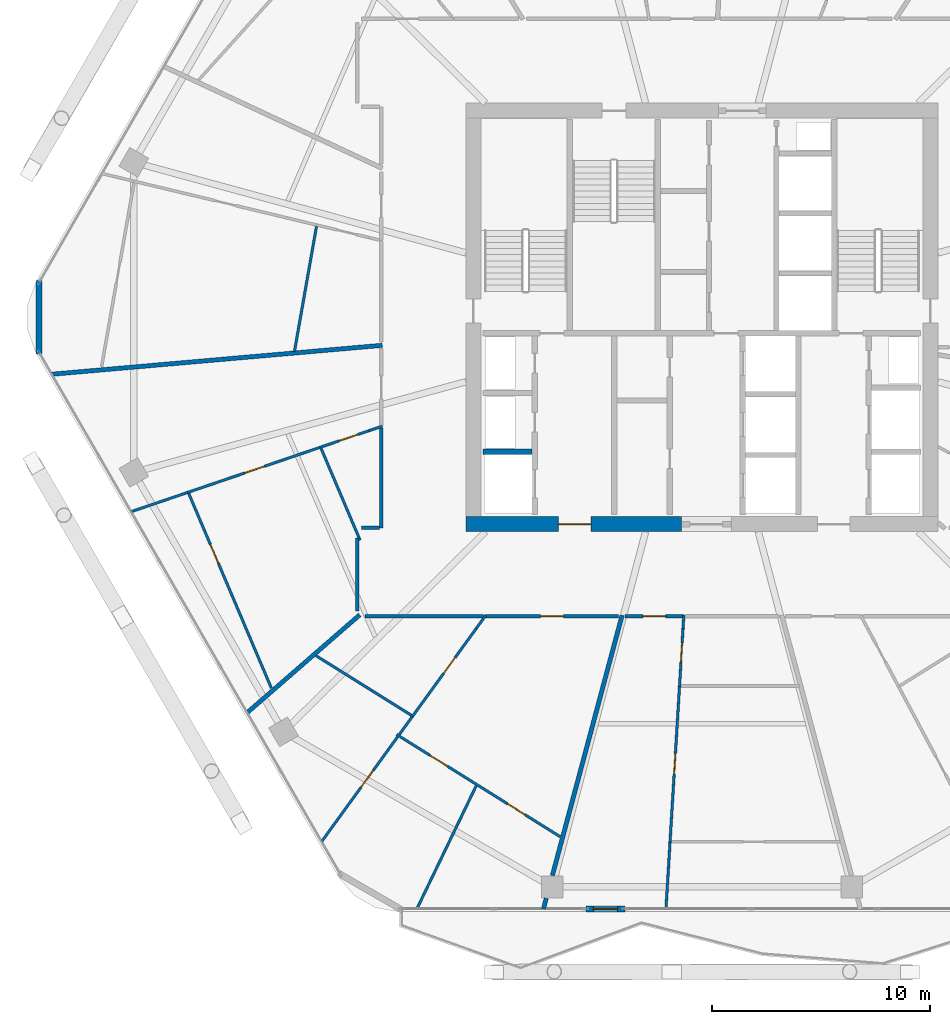
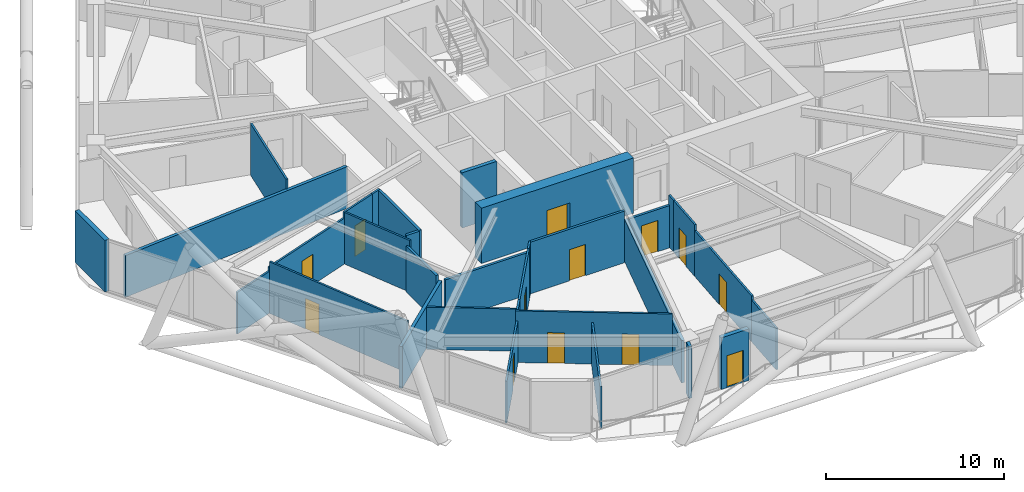
# One storey, part 21 of 29: 32 walls, 13 doors, 13 openings.
"""IFC4 building model written with IfcOpenShell, lengths in metres."""

from ifc_helpers import new_model, si_unit, direction, frame, frame_2d, origin, place, context, subcontext, project, spatial, rectangle, extrude, material, layer, layer_set, type_object, element, fill, save


model = new_model("IFC4")

# Units and contexts
model_context = context("Model", 3, precision=1e-05, world=origin(), true_north=direction((0.0, 1.0)))
body_context = subcontext(model_context, "Body", "Model", "MODEL_VIEW")
ifc_project = project(units=[si_unit("LENGTHUNIT", "METRE"), si_unit("AREAUNIT", "SQUARE_METRE"), si_unit("VOLUMEUNIT", "CUBIC_METRE"), si_unit("PLANEANGLEUNIT", "RADIAN"), si_unit("MASSUNIT", "GRAM", prefix="KILO")], contexts=[model_context])

# Site, building, storey
site_placement = place(None, origin())
site = spatial("IfcSite", under=ifc_project, at=site_placement, CompositionType="ELEMENT")
building_placement = place(site_placement, origin())
building = spatial("IfcBuilding", under=site, at=building_placement, Name="Zuhravey Tower", CompositionType="ELEMENT")
storey_placement = place(building_placement, frame((0.0, 0.0, 161.800048828125)))
storey = spatial("IfcBuildingStorey", under=building, at=storey_placement, Name="L40", CompositionType="ELEMENT", Elevation=161.800048828125)

# Wall, opening, door
ifc_material_1 = material(Name="Concrete C60/75", Category="concrete")
ifc_layer_1 = layer(ifc_material_1, 0.699951171875)
ifc_layer_set_1 = layer_set([ifc_layer_1], Name="Concrete C60/75")
wall_type_1 = type_object("IfcWallType", Name="Core Shear Wall 700", PredefinedType="SHEAR", material=ifc_layer_set_1)
wall_1_placement = place(storey_placement, frame((25.14990234375, 22.5, 0.0), z_axis=(0.0, 0.0, 1.0), x_axis=(1.0, 0.0, 0.0)))
wall_1 = element("IfcWall", 1, at=wall_1_placement, inside=storey, type_object=wall_type_1, Name="L40 South-West Core Shear Wall CW70", PredefinedType="SHEAR", context=body_context, shape_type="SweptSolid", body=[
    extrude(rectangle(XDim=9.900146484375, YDim=0.699951171875, at=frame_2d((4.9501953125, 0.0))), origin(), (0.0, 0.0, 1.0), 3.800048828125),
])
opening_1_placement = place(wall_1_placement, frame((4.25, 0.0, 0.0)))
opening_1 = element("IfcOpeningElement", 2, at=opening_1_placement, cuts=wall_1, Name="Opening FFD1", PredefinedType="OPENING", context=body_context, shape_type="SweptSolid", body=[
    extrude(rectangle(XDim=1.5, YDim=2.14990234375, at=frame_2d((0.75, 1.074951171875))), frame((0.0, 0.362060546875, 0.0), z_axis=(0.0, -1.0, 0.0), x_axis=(1.0, 0.0, 0.0)), (0.0, 0.0, 1.0), 0.723876953125),
])
ifc_material_2 = material(Name="Galvanised fire-rated steel leaf", Category="steel")
door_type_1 = type_object("IfcDoorType", Name="Firefighting Lobby Double Door 1500x2150", OperationType="DOUBLE_DOOR_SINGLE_SWING", PredefinedType="DOOR", material=ifc_material_2)
door_1_placement = place(opening_1_placement, origin())
door_1 = element("IfcDoor", 3, at=door_1_placement, inside=storey, type_object=door_type_1, Name="L40 Firefighting Lobby West Door", OperationType="DOUBLE_DOOR_SINGLE_SWING", OverallHeight=2.14990234375, OverallWidth=1.5, PredefinedType="DOOR", context=body_context, shape_type="SweptSolid", body=[
    extrude(rectangle(XDim=1.5, YDim=2.14990234375, at=frame_2d((0.75, 1.074951171875))), frame((0.0, 0.02490234375, 0.0), z_axis=(0.0, -1.0, 0.0), x_axis=(1.0, 0.0, 0.0)), (0.0, 0.0, 1.0), 0.050048828125),
])
fill(opening_1, door_1)

ifc_material_3 = material(Name="Gypsum fire-rated stud partition")
ifc_layer_2 = layer(ifc_material_3, 0.159912109375)
ifc_layer_set_2 = layer_set([ifc_layer_2], Name="Gypsum fire-rated stud partition")
wall_type_2 = type_object("IfcWallType", Name="Corridor Fire Partition 160", PredefinedType="PARTITIONING", material=ifc_layer_set_2)
wall_2_placement = place(storey_placement, frame((26.06396484375, 18.27001953125, 0.0), z_axis=(0.0, 0.0, 1.0), x_axis=(1.0, 0.0, 0.0)))
wall_2 = element("IfcWall", 4, at=wall_2_placement, inside=storey, type_object=wall_type_2, Name="L40 IW16 Partition 050", PredefinedType="PARTITIONING", context=body_context, shape_type="SweptSolid", body=[
    extrude(rectangle(XDim=6.107666015625, YDim=0.159912109375, at=frame_2d((3.0537109375, 0.0))), origin(), (0.0, 0.0, 1.0), 3.550048828125),
])
opening_2_placement = place(wall_2_placement, frame((2.52880859375, 0.0, 0.0)))
opening_2 = element("IfcOpeningElement", 5, at=opening_2_placement, cuts=wall_2, Name="Opening APD1", PredefinedType="OPENING", context=body_context, shape_type="SweptSolid", body=[
    extrude(rectangle(XDim=1.050048828125, YDim=2.14990234375, at=frame_2d((0.52490234375, 1.074951171875))), frame((0.0, 0.092041015625, 0.0), z_axis=(0.0, -1.0, 0.0), x_axis=(1.0, 0.0, 0.0)), (0.0, 0.0, 1.0), 0.183837890625),
])
ifc_material_4 = material(Name="Solid-core oak fire-rated leaf")
door_type_2 = type_object("IfcDoorType", Name="Apartment Entrance Fire Door 1050x2150", OperationType="NOTDEFINED", PredefinedType="DOOR", material=ifc_material_4)
door_2_placement = place(opening_2_placement, frame((1.050048828125, 0.0, 0.0), z_axis=(0.0, 0.0, 1.0), x_axis=(-1.0, 0.0, 0.0)))
door_2 = element("IfcDoor", 6, at=door_2_placement, inside=storey, type_object=door_type_2, Name="L40 Door 050.1", OperationType="SINGLE_SWING_LEFT", OverallHeight=2.14990234375, OverallWidth=1.050048828125, PredefinedType="DOOR", context=body_context, shape_type="SweptSolid", body=[
    extrude(rectangle(XDim=1.050048828125, YDim=2.14990234375, at=frame_2d((0.52490234375, 1.074951171875))), frame((0.0, 0.02490234375, 0.0), z_axis=(0.0, -1.0, 0.0), x_axis=(1.0, 0.0, 0.0)), (0.0, 0.0, 1.0), 0.050048828125),
])
fill(opening_2, door_2)

wall_3_placement = place(storey_placement, frame((32.4697265625, 18.27001953125, 0.0), z_axis=(0.0, 0.0, 1.0), x_axis=(1.0, 0.0, 0.0)))
wall_3 = element("IfcWall", 7, at=wall_3_placement, inside=storey, type_object=wall_type_2, Name="L40 IW16 Partition 054", PredefinedType="PARTITIONING", context=body_context, shape_type="SweptSolid", body=[
    extrude(rectangle(XDim=2.67529296875, YDim=0.159912109375, at=frame_2d((1.337646484375, 0.0))), origin(), (0.0, 0.0, 1.0), 2.89990234375),
])
opening_3_placement = place(wall_3_placement, frame((0.8125, 0.0, 0.0)))
opening_3 = element("IfcOpeningElement", 8, at=opening_3_placement, cuts=wall_3, Name="Opening APD1", PredefinedType="OPENING", context=body_context, shape_type="SweptSolid", body=[
    extrude(rectangle(XDim=1.050048828125, YDim=2.14990234375, at=frame_2d((0.52490234375, 1.074951171875))), frame((0.0, 0.092041015625, 0.0), z_axis=(0.0, -1.0, 0.0), x_axis=(1.0, 0.0, 0.0)), (0.0, 0.0, 1.0), 0.183837890625),
])
door_3_placement = place(opening_3_placement, frame((1.050048828125, 0.0, 0.0), z_axis=(0.0, 0.0, 1.0), x_axis=(-1.0, 0.0, 0.0)))
door_3 = element("IfcDoor", 9, at=door_3_placement, inside=storey, type_object=door_type_2, Name="L40 Door 054.1", OperationType="SINGLE_SWING_LEFT", OverallHeight=2.14990234375, OverallWidth=1.050048828125, PredefinedType="DOOR", context=body_context, shape_type="SweptSolid", body=[
    extrude(rectangle(XDim=1.050048828125, YDim=2.14990234375, at=frame_2d((0.52490234375, 1.074951171875))), frame((0.0, 0.02490234375, 0.0), z_axis=(0.0, -1.0, 0.0), x_axis=(1.0, 0.0, 0.0)), (0.0, 0.0, 1.0), 0.050048828125),
])
fill(opening_3, door_3)

# Walls
wall_4_placement = place(storey_placement, frame((21.27001953125, 26.913818359375, 0.0), z_axis=(0.0, 0.0, 1.0), x_axis=(0.0, -1.0, 0.0)))
element("IfcWall", 10, at=wall_4_placement, inside=storey, type_object=wall_type_2, Name="L40 IW16 Partition 134", PredefinedType="PARTITIONING", context=body_context, shape_type="SweptSolid", body=[
    extrude(rectangle(XDim=4.583740234375, YDim=0.159912109375, at=frame_2d((2.2919921875, 0.0))), origin(), (0.0, 0.0, 1.0), 3.550048828125),
])
wall_5_placement = place(storey_placement, frame((21.181884765625, 22.330078125, 0.0), z_axis=(0.0, 0.0, 1.0), x_axis=(-1.0, 0.0, 0.0)))
element("IfcWall", 11, at=wall_5_placement, inside=storey, type_object=wall_type_2, Name="L40 IW16 Partition 135", PredefinedType="PARTITIONING", context=body_context, shape_type="SweptSolid", body=[
    extrude(rectangle(XDim=0.831787109375, YDim=0.159912109375, at=frame_2d((0.416015625, 0.0))), origin(), (0.0, 0.0, 1.0), 3.550048828125),
])
wall_6_placement = place(storey_placement, frame((20.169921875, 21.87060546875, 0.0), z_axis=(0.0, 0.0, 1.0), x_axis=(0.0, -1.0, 0.0)))
element("IfcWall", 12, at=wall_6_placement, inside=storey, type_object=wall_type_2, Name="L40 IW16 Partition 136", PredefinedType="PARTITIONING", context=body_context, shape_type="SweptSolid", body=[
    extrude(rectangle(XDim=3.364501953125, YDim=0.159912109375, at=frame_2d((1.68212890625, 0.0))), origin(), (0.0, 0.0, 1.0), 3.14990234375),
])
wall_7_placement = place(storey_placement, frame((20.51123046875, 18.27001953125, 0.0), z_axis=(0.0, 0.0, 1.0), x_axis=(1.0, 0.0, 0.0)))
element("IfcWall", 13, at=wall_7_placement, inside=storey, type_object=wall_type_2, Name="L40 IW16 Partition 137", PredefinedType="PARTITIONING", context=body_context, shape_type="SweptSolid", body=[
    extrude(rectangle(XDim=5.44384765625, YDim=0.159912109375, at=frame_2d((2.721923828125, 0.0))), origin(), (0.0, 0.0, 1.0), 2.89990234375),
])

# Wall, opening, door
ifc_material_5 = material(Name="Precast concrete C40/50", Category="concrete")
ifc_layer_3 = layer(ifc_material_5, 0.280029296875)
ifc_layer_set_3 = layer_set([ifc_layer_3], Name="Precast concrete C40/50")
wall_type_3 = type_object("IfcWallType", Name="Crown Architectural Wall 280", PredefinedType="SOLIDWALL", material=ifc_layer_set_3)
wall_8_placement = place(storey_placement, frame((32.454345703125, 4.81689453125, 0.0), z_axis=(0.0, 0.0, 1.0), x_axis=(-1.0, 0.0, 0.0)))
wall_8 = element("IfcWall", 14, at=wall_8_placement, inside=storey, type_object=wall_type_3, Name="L40 Face 5 Facade Pier EW28-1", PredefinedType="SOLIDWALL", context=body_context, shape_type="SweptSolid", body=[
    extrude(rectangle(XDim=1.7900390625, YDim=0.280029296875, at=frame_2d((0.89501953125, 0.0))), origin(), (0.0, 0.0, 1.0), 3.550048828125),
])
opening_4_placement = place(wall_8_placement, frame((0.344970703125, 0.0, 0.0)))
opening_4 = element("IfcOpeningElement", 15, at=opening_4_placement, cuts=wall_8, Name="Opening BLD1", PredefinedType="OPENING", context=body_context, shape_type="SweptSolid", body=[
    extrude(rectangle(XDim=1.10009765625, YDim=2.199951171875, at=frame_2d((0.550048828125, 1.10009765625))), frame((0.0, 0.152099609375, 0.0), z_axis=(0.0, -1.0, 0.0), x_axis=(1.0, 0.0, 0.0)), (0.0, 0.0, 1.0), 0.303955078125),
])
ifc_material_6 = material(Name="Thermally broken aluminium and low-E glass", Category="aluminium")
door_type_3 = type_object("IfcDoorType", Name="Balcony & Sky-Tray Glazed Door 1100x2200", OperationType="NOTDEFINED", PredefinedType="DOOR", material=ifc_material_6)
door_4_placement = place(opening_4_placement, frame((1.10009765625, 0.0, 0.0), z_axis=(0.0, 0.0, 1.0), x_axis=(-1.0, 0.0, 0.0)))
door_4 = element("IfcDoor", 16, at=door_4_placement, inside=storey, type_object=door_type_3, Name="L40 Face 5 Wave Balcony Door", OperationType="SINGLE_SWING_LEFT", OverallHeight=2.199951171875, OverallWidth=1.10009765625, PredefinedType="DOOR", context=body_context, shape_type="SweptSolid", body=[
    extrude(rectangle(XDim=1.10009765625, YDim=2.199951171875, at=frame_2d((0.550048828125, 1.10009765625))), frame((0.0, 0.02490234375, 0.0), z_axis=(0.0, -1.0, 0.0), x_axis=(1.0, 0.0, 0.0)), (0.0, 0.0, 1.0), 0.050048828125),
])
fill(opening_4, door_4)

# Walls
wall_9_placement = place(storey_placement, frame((5.5283203125, 30.3173828125, 0.0), z_axis=(0.0, 0.0, 1.0), x_axis=(0.0, 1.0, 0.0)))
element("IfcWall", 17, at=wall_9_placement, inside=storey, type_object=wall_type_3, Name="L40 Rounded Corner Closure Wall EW28-06", PredefinedType="SOLIDWALL", context=body_context, shape_type="SweptSolid", body=[
    extrude(rectangle(XDim=3.365234375, YDim=0.280029296875, at=frame_2d((1.6826171875, 0.0))), origin(), (0.0, 0.0, 1.0), 3.550048828125),
])
ifc_material_7 = material(Name="Concrete C50/60", Category="concrete")
ifc_layer_4 = layer(ifc_material_7, 0.25)
ifc_layer_set_4 = layer_set([ifc_layer_4], Name="Concrete C50/60")
wall_type_4 = type_object("IfcWallType", Name="Firefighting Shaft & Stair Wall 250", PredefinedType="SOLIDWALL", material=ifc_layer_set_4)
wall_10_placement = place(storey_placement, frame((25.949951171875, 25.824951171875, 0.0), z_axis=(0.0, 0.0, 1.0), x_axis=(1.0, 0.0, 0.0)))
element("IfcWall", 18, at=wall_10_placement, inside=storey, type_object=wall_type_4, Name="L40 FW25 Shaft Wall 009", PredefinedType="SOLIDWALL", context=body_context, shape_type="SweptSolid", body=[
    extrude(rectangle(XDim=2.25, YDim=0.25, at=frame_2d((1.125, 0.0))), origin(), (0.0, 0.0, 1.0), 3.800048828125),
])
ifc_material_8 = material(Name="Gypsum double-stud party assembly")
ifc_layer_5 = layer(ifc_material_8, 0.199951171875)
ifc_layer_set_5 = layer_set([ifc_layer_5], Name="Gypsum double-stud party assembly")
wall_type_5 = type_object("IfcWallType", Name="Inter-Tenancy Party Wall 200", PredefinedType="PARTITIONING", material=ifc_layer_set_5)
wall_11_placement = place(storey_placement, frame((21.31005859375, 30.71484375, 0.0), z_axis=(0.0, 0.0, 1.0), x_axis=(-0.996194847126, -0.087154039266, 0.0)))
element("IfcWall", 19, at=wall_11_placement, inside=storey, type_object=wall_type_5, Name="L40 IW20 Partition 096", PredefinedType="PARTITIONING", context=body_context, shape_type="SweptSolid", body=[
    extrude(rectangle(XDim=15.247314453125, YDim=0.199951171875, at=frame_2d((7.62353515625, 0.0))), origin(), (0.0, 0.0, 1.0), 2.869873046875),
])
wall_12_placement = place(storey_placement, frame((20.27587890625, 18.331298828125, 0.0), z_axis=(0.0, 0.0, 1.0), x_axis=(-0.754712052901, -0.656056184489, 0.0)))
element("IfcWall", 20, at=wall_12_placement, inside=storey, type_object=wall_type_5, Name="L40 IW20 Partition 100", PredefinedType="PARTITIONING", context=body_context, shape_type="SweptSolid", body=[
    extrude(rectangle(XDim=6.857421875, YDim=0.199951171875, at=frame_2d((3.4287109375, 0.0))), origin(), (0.0, 0.0, 1.0), 2.869873046875),
])
wall_13_placement = place(storey_placement, frame((32.331787109375, 18.31005859375, 0.0), z_axis=(0.0, 0.0, 1.0), x_axis=(-0.258823121138, -0.96592473411, 0.0)))
element("IfcWall", 21, at=wall_13_placement, inside=storey, type_object=wall_type_5, Name="L40 IW20 Partition 104", PredefinedType="PARTITIONING", context=body_context, shape_type="SweptSolid", body=[
    extrude(rectangle(XDim=12.38525390625, YDim=0.199951171875, at=frame_2d((6.192626953125, 0.0))), origin(), (0.0, 0.0, 1.0), 2.89990234375),
])
wall_14_placement = place(storey_placement, frame((28.84765625, 5.306884765625, 0.0), z_axis=(0.0, 0.0, 1.0), x_axis=(-0.258920510492, -0.965898633008, 0.0)))
element("IfcWall", 22, at=wall_14_placement, inside=storey, type_object=wall_type_5, Name="L40 IW20 Partition 105", PredefinedType="PARTITIONING", context=body_context, shape_type="SweptSolid", body=[
    extrude(rectangle(XDim=0.50732421875, YDim=0.199951171875, at=frame_2d((0.253662109375, 0.0))), origin(), (0.0, 0.0, 1.0), 3.550048828125),
])

# Wall, opening, door
ifc_material_9 = material(Name="Gypsum metal-stud partition")
ifc_layer_6 = layer(ifc_material_9, 0.1201171875)
ifc_layer_set_6 = layer_set([ifc_layer_6], Name="Gypsum metal-stud partition")
wall_type_6 = type_object("IfcWallType", Name="Unit Internal Partition 120", PredefinedType="PARTITIONING", material=ifc_layer_set_6)
wall_15_placement = place(storey_placement, frame((20.699951171875, 26.79150390625, 0.0), z_axis=(0.0, 0.0, 1.0), x_axis=(-0.946637890064, -0.322299092608, 0.0)))
wall_15 = element("IfcWall", 23, at=wall_15_placement, inside=storey, type_object=wall_type_6, Name="L40 IW12 Partition 042", PredefinedType="PARTITIONING", context=body_context, shape_type="SweptSolid", body=[
    extrude(rectangle(XDim=2.3740234375, YDim=0.1201171875, at=frame_2d((1.18701171875, 0.0))), origin(), (0.0, 0.0, 1.0), 3.550048828125),
])
opening_5_placement = place(wall_15_placement, frame((0.547119140625, 0.0, 0.0)))
opening_5 = element("IfcOpeningElement", 24, at=opening_5_placement, cuts=wall_15, Name="Opening WCD1", PredefinedType="OPENING", context=body_context, shape_type="SweptSolid", body=[
    extrude(rectangle(XDim=0.89990234375, YDim=2.10009765625, at=frame_2d((0.449951171875, 1.050048828125))), frame((0.0, 0.072021484375, 0.0), z_axis=(0.0, -1.0, 0.0), x_axis=(1.0, 0.0, 0.0)), (0.0, 0.0, 1.0), 0.14404296875),
])
ifc_material_10 = material(Name="Moisture-resistant timber leaf", Category="wood")
door_type_4 = type_object("IfcDoorType", Name="Bathroom & WC Internal Door 900x2100", OperationType="NOTDEFINED", PredefinedType="DOOR", material=ifc_material_10)
door_5_placement = place(opening_5_placement, origin())
door_5 = element("IfcDoor", 25, at=door_5_placement, inside=storey, type_object=door_type_4, Name="Apartment L40-06 Bathroom Door", OperationType="SINGLE_SWING_LEFT", OverallHeight=2.10009765625, OverallWidth=0.89990234375, PredefinedType="DOOR", context=body_context, shape_type="SweptSolid", body=[
    extrude(rectangle(XDim=0.89990234375, YDim=2.10009765625, at=frame_2d((0.449951171875, 1.050048828125))), frame((0.0, 0.02490234375, 0.0), z_axis=(0.0, -1.0, 0.0), x_axis=(1.0, 0.0, 0.0)), (0.0, 0.0, 1.0), 0.050048828125),
])
fill(opening_5, door_5)

wall_16_placement = place(storey_placement, frame((18.45263671875, 26.026611328125, 0.0), z_axis=(0.0, 0.0, 1.0), x_axis=(-0.946642506906, -0.322285531973, 0.0)))
wall_16 = element("IfcWall", 26, at=wall_16_placement, inside=storey, type_object=wall_type_6, Name="L40 IW12 Partition 043", PredefinedType="PARTITIONING", context=body_context, shape_type="SweptSolid", body=[
    extrude(rectangle(XDim=6.42529296875, YDim=0.1201171875, at=frame_2d((3.212646484375, 0.0))), origin(), (0.0, 0.0, 1.0), 3.14990234375),
])
opening_6_placement = place(wall_16_placement, frame((2.712646484375, 0.0, 0.0)))
opening_6 = element("IfcOpeningElement", 27, at=opening_6_placement, cuts=wall_16, Name="Opening IND1", PredefinedType="OPENING", context=body_context, shape_type="SweptSolid", body=[
    extrude(rectangle(XDim=0.949951171875, YDim=2.10009765625, at=frame_2d((0.47509765625, 1.050048828125))), frame((0.0, 0.072021484375, 0.0), z_axis=(0.0, -1.0, 0.0), x_axis=(1.0, 0.0, 0.0)), (0.0, 0.0, 1.0), 0.14404296875),
])
ifc_material_11 = material(Name="Painted engineered timber leaf", Category="wood")
door_type_5 = type_object("IfcDoorType", Name="Internal Room & Bedroom Door 950x2100", OperationType="NOTDEFINED", PredefinedType="DOOR", material=ifc_material_11)
door_6_placement = place(opening_6_placement, origin())
door_6 = element("IfcDoor", 28, at=door_6_placement, inside=storey, type_object=door_type_5, Name="Apartment L40-06 Home Office Door", OperationType="SINGLE_SWING_RIGHT", OverallHeight=2.10009765625, OverallWidth=0.949951171875, PredefinedType="DOOR", context=body_context, shape_type="SweptSolid", body=[
    extrude(rectangle(XDim=0.949951171875, YDim=2.10009765625, at=frame_2d((0.47509765625, 1.050048828125))), frame((0.0, 0.02490234375, 0.0), z_axis=(0.0, -1.0, 0.0), x_axis=(1.0, 0.0, 0.0)), (0.0, 0.0, 1.0), 0.050048828125),
])
fill(opening_6, door_6)

wall_17_placement = place(storey_placement, frame((12.42041015625, 23.90087890625, 0.0), z_axis=(0.0, 0.0, 1.0), x_axis=(0.390728803852, -0.920505840199, 0.0)))
wall_17 = element("IfcWall", 29, at=wall_17_placement, inside=storey, type_object=wall_type_6, Name="L40 IW12 Partition 044", PredefinedType="PARTITIONING", context=body_context, shape_type="SweptSolid", body=[
    extrude(rectangle(XDim=9.704345703125, YDim=0.1201171875, at=frame_2d((4.85205078125, 0.0))), origin(), (0.0, 0.0, 1.0), 3.550048828125),
])
opening_7_placement = place(wall_17_placement, frame((2.532958984375, 0.0, 0.0)))
opening_7 = element("IfcOpeningElement", 30, at=opening_7_placement, cuts=wall_17, Name="Opening IND1", PredefinedType="OPENING", context=body_context, shape_type="SweptSolid", body=[
    extrude(rectangle(XDim=0.949951171875, YDim=2.10009765625, at=frame_2d((0.47509765625, 1.050048828125))), frame((0.0, 0.072021484375, 0.0), z_axis=(0.0, -1.0, 0.0), x_axis=(1.0, 0.0, 0.0)), (0.0, 0.0, 1.0), 0.14404296875),
])
door_7_placement = place(opening_7_placement, frame((0.949951171875, 0.0, 0.0), z_axis=(0.0, 0.0, 1.0), x_axis=(-1.0, 0.0, 0.0)))
door_7 = element("IfcDoor", 31, at=door_7_placement, inside=storey, type_object=door_type_5, Name="Apartment L40-06 Bedroom 1 Door", OperationType="SINGLE_SWING_LEFT", OverallHeight=2.10009765625, OverallWidth=0.949951171875, PredefinedType="DOOR", context=body_context, shape_type="SweptSolid", body=[
    extrude(rectangle(XDim=0.949951171875, YDim=2.10009765625, at=frame_2d((0.47509765625, 1.050048828125))), frame((0.0, 0.02490234375, 0.0), z_axis=(0.0, -1.0, 0.0), x_axis=(1.0, 0.0, 0.0)), (0.0, 0.0, 1.0), 0.050048828125),
])
fill(opening_7, door_7)

# Wall, openings, doors
wall_18_placement = place(storey_placement, frame((21.970703125, 12.83251953125, 0.0), z_axis=(0.0, 0.0, 1.0), x_axis=(0.84804473337, -0.529924645779, 0.0)))
wall_18 = element("IfcWall", 32, at=wall_18_placement, inside=storey, type_object=wall_type_6, Name="L40 IW12 Partition 046", PredefinedType="PARTITIONING", context=body_context, shape_type="SweptSolid", body=[
    extrude(rectangle(XDim=8.86181640625, YDim=0.1201171875, at=frame_2d((4.430908203125, 0.0))), origin(), (0.0, 0.0, 1.0), 3.550048828125),
])
opening_8_placement = place(wall_18_placement, frame((1.817138671875, 0.0, 0.0)))
opening_8 = element("IfcOpeningElement", 33, at=opening_8_placement, cuts=wall_18, Name="Opening IND1", PredefinedType="OPENING", context=body_context, shape_type="SweptSolid", body=[
    extrude(rectangle(XDim=0.949951171875, YDim=2.10009765625, at=frame_2d((0.47509765625, 1.050048828125))), frame((0.0, 0.072021484375, 0.0), z_axis=(0.0, -1.0, 0.0), x_axis=(1.0, 0.0, 0.0)), (0.0, 0.0, 1.0), 0.14404296875),
])
opening_9_placement = place(wall_18_placement, frame((6.00732421875, 0.0, 0.0)))
opening_9 = element("IfcOpeningElement", 34, at=opening_9_placement, cuts=wall_18, Name="Opening IND1", PredefinedType="OPENING", context=body_context, shape_type="SweptSolid", body=[
    extrude(rectangle(XDim=0.949951171875, YDim=2.10009765625, at=frame_2d((0.47509765625, 1.050048828125))), frame((0.0, 0.072021484375, 0.0), z_axis=(0.0, -1.0, 0.0), x_axis=(1.0, 0.0, 0.0)), (0.0, 0.0, 1.0), 0.14404296875),
])
door_8_placement = place(opening_8_placement, frame((0.949951171875, 0.0, 0.0), z_axis=(0.0, 0.0, 1.0), x_axis=(-1.0, 0.0, 0.0)))
door_8 = element("IfcDoor", 35, at=door_8_placement, inside=storey, type_object=door_type_5, Name="Apartment L40-07 Family Study Door", OperationType="SINGLE_SWING_LEFT", OverallHeight=2.10009765625, OverallWidth=0.949951171875, PredefinedType="DOOR", context=body_context, shape_type="SweptSolid", body=[
    extrude(rectangle(XDim=0.949951171875, YDim=2.10009765625, at=frame_2d((0.47509765625, 1.050048828125))), frame((0.0, 0.02490234375, 0.0), z_axis=(0.0, -1.0, 0.0), x_axis=(1.0, 0.0, 0.0)), (0.0, 0.0, 1.0), 0.050048828125),
])
fill(opening_8, door_8)
door_9_placement = place(opening_9_placement, frame((0.949951171875, 0.0, 0.0), z_axis=(0.0, 0.0, 1.0), x_axis=(-1.0, 0.0, 0.0)))
door_9 = element("IfcDoor", 36, at=door_9_placement, inside=storey, type_object=door_type_5, Name="Apartment L40-07 Dining Room Door", OperationType="SINGLE_SWING_RIGHT", OverallHeight=2.10009765625, OverallWidth=0.949951171875, PredefinedType="DOOR", context=body_context, shape_type="SweptSolid", body=[
    extrude(rectangle(XDim=0.949951171875, YDim=2.10009765625, at=frame_2d((0.47509765625, 1.050048828125))), frame((0.0, 0.02490234375, 0.0), z_axis=(0.0, -1.0, 0.0), x_axis=(1.0, 0.0, 0.0)), (0.0, 0.0, 1.0), 0.050048828125),
])
fill(opening_9, door_9)

# Wall, opening, door
wall_19_placement = place(storey_placement, frame((25.625732421875, 17.699951171875, 0.0), z_axis=(0.0, 0.0, 1.0), x_axis=(-0.587247080924, -0.809407725406, 0.0)))
wall_19 = element("IfcWall", 37, at=wall_19_placement, inside=storey, type_object=wall_type_6, Name="L40 IW12 Partition 047", PredefinedType="PARTITIONING", context=body_context, shape_type="SweptSolid", body=[
    extrude(rectangle(XDim=4.99462890625, YDim=0.1201171875, at=frame_2d((2.497314453125, 0.0))), origin(), (0.0, 0.0, 1.0), 3.550048828125),
])
opening_10_placement = place(wall_19_placement, frame((1.647705078125, 0.0, 0.0)))
opening_10 = element("IfcOpeningElement", 38, at=opening_10_placement, cuts=wall_19, Name="Opening WCD1", PredefinedType="OPENING", context=body_context, shape_type="SweptSolid", body=[
    extrude(rectangle(XDim=0.89990234375, YDim=2.10009765625, at=frame_2d((0.449951171875, 1.050048828125))), frame((0.0, 0.072021484375, 0.0), z_axis=(0.0, -1.0, 0.0), x_axis=(1.0, 0.0, 0.0)), (0.0, 0.0, 1.0), 0.14404296875),
])
door_10_placement = place(opening_10_placement, frame((0.89990234375, 0.0, 0.0), z_axis=(0.0, 0.0, 1.0), x_axis=(-1.0, 0.0, 0.0)))
door_10 = element("IfcDoor", 39, at=door_10_placement, inside=storey, type_object=door_type_4, Name="Apartment L40-07 Bathroom Door", OperationType="SINGLE_SWING_LEFT", OverallHeight=2.10009765625, OverallWidth=0.89990234375, PredefinedType="DOOR", context=body_context, shape_type="SweptSolid", body=[
    extrude(rectangle(XDim=0.89990234375, YDim=2.10009765625, at=frame_2d((0.449951171875, 1.050048828125))), frame((0.0, 0.02490234375, 0.0), z_axis=(0.0, -1.0, 0.0), x_axis=(1.0, 0.0, 0.0)), (0.0, 0.0, 1.0), 0.050048828125),
])
fill(opening_10, door_10)

# Wall
wall_20_placement = place(storey_placement, frame((22.692626953125, 13.6572265625, 0.0), z_axis=(0.0, 0.0, 1.0), x_axis=(-0.587243042338, -0.809410655493, 0.0)))
element("IfcWall", 40, at=wall_20_placement, inside=storey, type_object=wall_type_6, Name="L40 IW12 Partition 048", PredefinedType="PARTITIONING", context=body_context, shape_type="SweptSolid", body=[
    extrude(rectangle(XDim=1.0166015625, YDim=0.1201171875, at=frame_2d((0.50830078125, 0.0))), origin(), (0.0, 0.0, 1.0), 3.550048828125),
])

# Wall, opening, door
wall_21_placement = place(storey_placement, frame((22.015869140625, 12.72412109375, 0.0), z_axis=(0.0, 0.0, 1.0), x_axis=(-0.587215499047, -0.809430637967, 0.0)))
wall_21 = element("IfcWall", 41, at=wall_21_placement, inside=storey, type_object=wall_type_6, Name="L40 IW12 Partition 049", PredefinedType="PARTITIONING", context=body_context, shape_type="SweptSolid", body=[
    extrude(rectangle(XDim=5.95361328125, YDim=0.1201171875, at=frame_2d((2.976806640625, 0.0))), origin(), (0.0, 0.0, 1.0), 2.869873046875),
])
opening_11_placement = place(wall_21_placement, frame((1.900390625, 0.0, 0.0)))
opening_11 = element("IfcOpeningElement", 42, at=opening_11_placement, cuts=wall_21, Name="Opening IND1", PredefinedType="OPENING", context=body_context, shape_type="SweptSolid", body=[
    extrude(rectangle(XDim=0.949951171875, YDim=2.10009765625, at=frame_2d((0.47509765625, 1.050048828125))), frame((0.0, 0.072021484375, 0.0), z_axis=(0.0, -1.0, 0.0), x_axis=(1.0, 0.0, 0.0)), (0.0, 0.0, 1.0), 0.14404296875),
])
door_11_placement = place(opening_11_placement, frame((0.949951171875, 0.0, 0.0), z_axis=(0.0, 0.0, 1.0), x_axis=(-1.0, 0.0, 0.0)))
door_11 = element("IfcDoor", 43, at=door_11_placement, inside=storey, type_object=door_type_5, Name="Apartment L40-07 Bedroom 1 Door", OperationType="SINGLE_SWING_RIGHT", OverallHeight=2.10009765625, OverallWidth=0.949951171875, PredefinedType="DOOR", context=body_context, shape_type="SweptSolid", body=[
    extrude(rectangle(XDim=0.949951171875, YDim=2.10009765625, at=frame_2d((0.47509765625, 1.050048828125))), frame((0.0, 0.02490234375, 0.0), z_axis=(0.0, -1.0, 0.0), x_axis=(1.0, 0.0, 0.0)), (0.0, 0.0, 1.0), 0.050048828125),
])
fill(opening_11, door_11)

wall_22_placement = place(storey_placement, frame((35.13037109375, 17.699951171875, 0.0), z_axis=(0.0, 0.0, 1.0), x_axis=(-0.060658034447, -0.998158606063, 0.0)))
wall_22 = element("IfcWall", 44, at=wall_22_placement, inside=storey, type_object=wall_type_6, Name="L40 IW12 Partition 051", PredefinedType="PARTITIONING", context=body_context, shape_type="SweptSolid", body=[
    extrude(rectangle(XDim=2.66845703125, YDim=0.1201171875, at=frame_2d((1.334228515625, 0.0))), origin(), (0.0, 0.0, 1.0), 3.550048828125),
])
opening_12_placement = place(wall_22_placement, frame((0.6708984375, 0.0, 0.0)))
opening_12 = element("IfcOpeningElement", 45, at=opening_12_placement, cuts=wall_22, Name="Opening WCD1", PredefinedType="OPENING", context=body_context, shape_type="SweptSolid", body=[
    extrude(rectangle(XDim=0.89990234375, YDim=2.10009765625, at=frame_2d((0.449951171875, 1.050048828125))), frame((0.0, 0.072021484375, 0.0), z_axis=(0.0, -1.0, 0.0), x_axis=(1.0, 0.0, 0.0)), (0.0, 0.0, 1.0), 0.14404296875),
])
door_12_placement = place(opening_12_placement, origin())
door_12 = element("IfcDoor", 46, at=door_12_placement, inside=storey, type_object=door_type_4, Name="Apartment L40-08 Bathroom Door", OperationType="SINGLE_SWING_RIGHT", OverallHeight=2.10009765625, OverallWidth=0.89990234375, PredefinedType="DOOR", context=body_context, shape_type="SweptSolid", body=[
    extrude(rectangle(XDim=0.89990234375, YDim=2.10009765625, at=frame_2d((0.449951171875, 1.050048828125))), frame((0.0, 0.02490234375, 0.0), z_axis=(0.0, -1.0, 0.0), x_axis=(1.0, 0.0, 0.0)), (0.0, 0.0, 1.0), 0.050048828125),
])
fill(opening_12, door_12)

wall_23_placement = place(storey_placement, frame((34.968505859375, 15.036376953125, 0.0), z_axis=(0.0, 0.0, 1.0), x_axis=(-0.060709915427, -0.998155451906, 0.0)))
wall_23 = element("IfcWall", 47, at=wall_23_placement, inside=storey, type_object=wall_type_6, Name="L40 IW12 Partition 052", PredefinedType="PARTITIONING", context=body_context, shape_type="SweptSolid", body=[
    extrude(rectangle(XDim=7.170166015625, YDim=0.1201171875, at=frame_2d((3.5849609375, 0.0))), origin(), (0.0, 0.0, 1.0), 3.14990234375),
])
opening_13_placement = place(wall_23_placement, frame((3.085205078125, 0.0, 0.0)))
opening_13 = element("IfcOpeningElement", 48, at=opening_13_placement, cuts=wall_23, Name="Opening IND1", PredefinedType="OPENING", context=body_context, shape_type="SweptSolid", body=[
    extrude(rectangle(XDim=0.949951171875, YDim=2.10009765625, at=frame_2d((0.47509765625, 1.050048828125))), frame((0.0, 0.072021484375, 0.0), z_axis=(0.0, -1.0, 0.0), x_axis=(1.0, 0.0, 0.0)), (0.0, 0.0, 1.0), 0.14404296875),
])
door_13_placement = place(opening_13_placement, origin())
door_13 = element("IfcDoor", 49, at=door_13_placement, inside=storey, type_object=door_type_5, Name="Apartment L40-08 Home Office Door", OperationType="SINGLE_SWING_LEFT", OverallHeight=2.10009765625, OverallWidth=0.949951171875, PredefinedType="DOOR", context=body_context, shape_type="SweptSolid", body=[
    extrude(rectangle(XDim=0.949951171875, YDim=2.10009765625, at=frame_2d((0.47509765625, 1.050048828125))), frame((0.0, 0.02490234375, 0.0), z_axis=(0.0, -1.0, 0.0), x_axis=(1.0, 0.0, 0.0)), (0.0, 0.0, 1.0), 0.050048828125),
])
fill(opening_13, door_13)

# Walls
wall_24_placement = place(storey_placement, frame((18.2880859375, 36.17578125, 0.0), z_axis=(0.0, 0.0, 1.0), x_axis=(-0.173654136984, -0.984806702205, 0.0)))
element("IfcWall", 50, at=wall_24_placement, inside=storey, type_object=wall_type_6, Name="L40 IW12 Partition 095", PredefinedType="PARTITIONING", context=body_context, shape_type="SweptSolid", body=[
    extrude(rectangle(XDim=5.838623046875, YDim=0.1201171875, at=frame_2d((2.91943359375, 0.0))), origin(), (0.0, 0.0, 1.0), 3.550048828125),
])
wall_25_placement = place(storey_placement, frame((21.313720703125, 27.00048828125, 0.0), z_axis=(0.0, 0.0, 1.0), x_axis=(-0.946630351542, -0.322321233461, 0.0)))
element("IfcWall", 51, at=wall_25_placement, inside=storey, type_object=wall_type_6, Name="L40 IW12 Partition 097", PredefinedType="PARTITIONING", context=body_context, shape_type="SweptSolid", body=[
    extrude(rectangle(XDim=0.6484375, YDim=0.1201171875, at=frame_2d((0.32421875, 0.0))), origin(), (0.0, 0.0, 1.0), 3.550048828125),
])
wall_26_placement = place(storey_placement, frame((12.3701171875, 23.955810546875, 0.0), z_axis=(0.0, 0.0, 1.0), x_axis=(-0.94665163237, -0.322258726696, 0.0)))
element("IfcWall", 52, at=wall_26_placement, inside=storey, type_object=wall_type_6, Name="L40 IW12 Partition 098", PredefinedType="PARTITIONING", context=body_context, shape_type="SweptSolid", body=[
    extrude(rectangle(XDim=2.75390625, YDim=0.1201171875, at=frame_2d((1.376953125, 0.0))), origin(), (0.0, 0.0, 1.0), 2.869873046875),
])
wall_27_placement = place(storey_placement, frame((18.5029296875, 25.9716796875, 0.0), z_axis=(0.0, 0.0, 1.0), x_axis=(0.39076644384, -0.920489862176, 0.0)))
element("IfcWall", 53, at=wall_27_placement, inside=storey, type_object=wall_type_6, Name="L40 IW12 Partition 099", PredefinedType="PARTITIONING", context=body_context, shape_type="SweptSolid", body=[
    extrude(rectangle(XDim=4.5732421875, YDim=0.1201171875, at=frame_2d((2.28662109375, 0.0))), origin(), (0.0, 0.0, 1.0), 3.550048828125),
])
wall_28_placement = place(storey_placement, frame((25.624267578125, 10.46923828125, 0.0), z_axis=(0.0, 0.0, 1.0), x_axis=(-0.434146084621, -0.900842481907, 0.0)))
element("IfcWall", 54, at=wall_28_placement, inside=storey, type_object=wall_type_6, Name="L40 IW12 Partition 101", PredefinedType="PARTITIONING", context=body_context, shape_type="SweptSolid", body=[
    extrude(rectangle(XDim=6.307861328125, YDim=0.1201171875, at=frame_2d((3.15380859375, 0.0))), origin(), (0.0, 0.0, 1.0), 2.869873046875),
])
wall_29_placement = place(storey_placement, frame((26.06396484375, 18.303955078125, 0.0), z_axis=(0.0, 0.0, 1.0), x_axis=(-0.587257034721, -0.809400503565, 0.0)))
element("IfcWall", 55, at=wall_29_placement, inside=storey, type_object=wall_type_6, Name="L40 IW12 Partition 102", PredefinedType="PARTITIONING", context=body_context, shape_type="SweptSolid", body=[
    extrude(rectangle(XDim=0.746337890625, YDim=0.1201171875, at=frame_2d((0.373046875, 0.0))), origin(), (0.0, 0.0, 1.0), 3.550048828125),
])
wall_30_placement = place(storey_placement, frame((18.27392578125, 16.447998046875, 0.0), z_axis=(0.0, 0.0, 1.0), x_axis=(0.848038174334, -0.529935142138, 0.0)))
element("IfcWall", 56, at=wall_30_placement, inside=storey, type_object=wall_type_6, Name="L40 IW12 Partition 103", PredefinedType="PARTITIONING", context=body_context, shape_type="SweptSolid", body=[
    extrude(rectangle(XDim=5.159912109375, YDim=0.1201171875, at=frame_2d((2.580078125, 0.0))), origin(), (0.0, 0.0, 1.0), 2.89990234375),
])
wall_31_placement = place(storey_placement, frame((35.167724609375, 18.31494140625, 0.0), z_axis=(0.0, 0.0, 1.0), x_axis=(-0.060626660722, -0.998160512147, 0.0)))
element("IfcWall", 57, at=wall_31_placement, inside=storey, type_object=wall_type_6, Name="L40 IW12 Partition 106", PredefinedType="PARTITIONING", context=body_context, shape_type="SweptSolid", body=[
    extrude(rectangle(XDim=0.6162109375, YDim=0.1201171875, at=frame_2d((0.30810546875, 0.0))), origin(), (0.0, 0.0, 1.0), 3.550048828125),
])
wall_32_placement = place(storey_placement, frame((34.533203125, 7.87939453125, 0.0), z_axis=(0.0, 0.0, 1.0), x_axis=(-0.060696544612, -0.998156265057, 0.0)))
element("IfcWall", 58, at=wall_32_placement, inside=storey, type_object=wall_type_6, Name="L40 IW12 Partition 107", PredefinedType="PARTITIONING", context=body_context, shape_type="SweptSolid", body=[
    extrude(rectangle(XDim=3.072998046875, YDim=0.1201171875, at=frame_2d((1.53662109375, 0.0))), origin(), (0.0, 0.0, 1.0), 2.869873046875),
])

save(model, "model.ifc")
